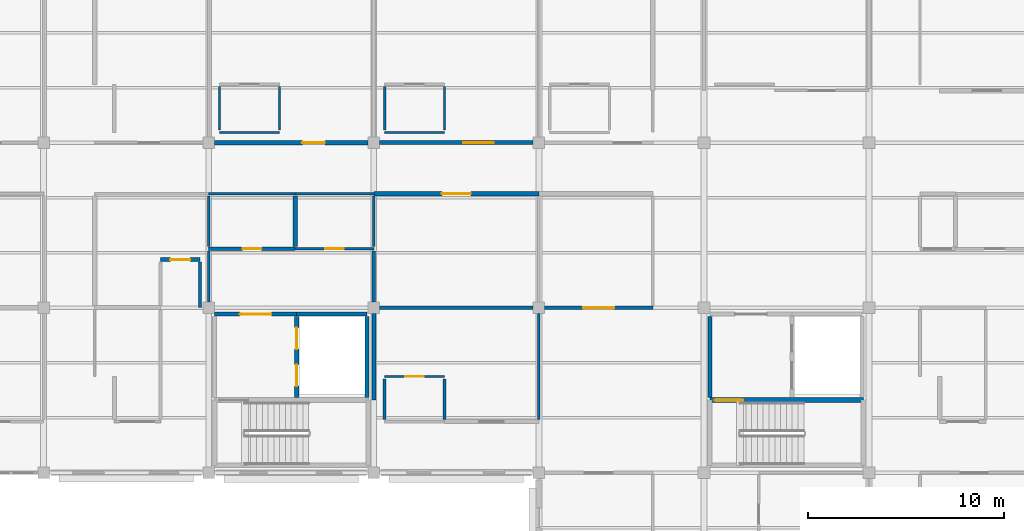
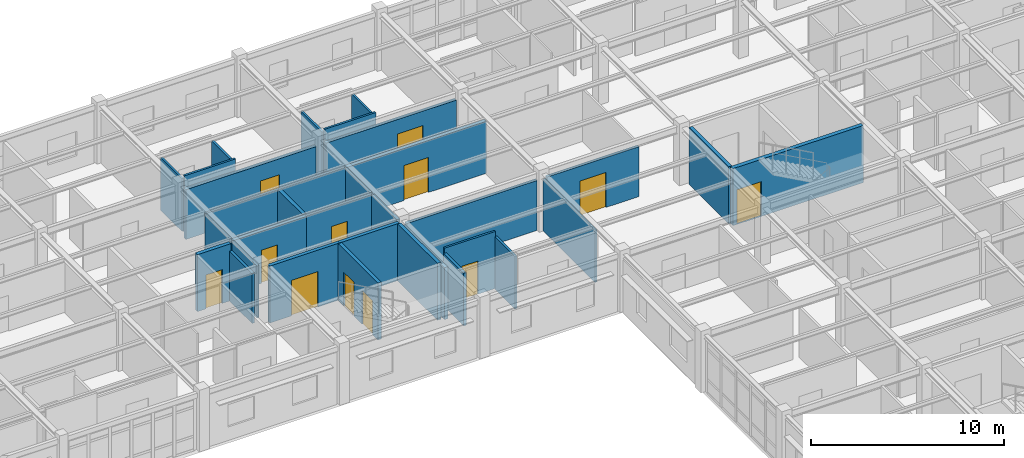
# One storey, part 53 of 70: 33 walls, 12 doors, 12 openings.
"""IFC4 building model written with IfcOpenShell, lengths in metres."""

from ifc_helpers import new_model, si_unit, direction, frame, frame_2d, origin, place, context, subcontext, project, spatial, rectangle, extrude, material, layer, layer_set, type_object, element, fill, save


model = new_model("IFC4")

# Units and contexts
model_context = context("Model", 3, precision=1e-05, world=origin(), true_north=direction((0.0, 1.0)))
body_context = subcontext(model_context, "Body", "Model", "MODEL_VIEW")
ifc_project = project(units=[si_unit("LENGTHUNIT", "METRE"), si_unit("AREAUNIT", "SQUARE_METRE"), si_unit("VOLUMEUNIT", "CUBIC_METRE"), si_unit("PLANEANGLEUNIT", "RADIAN"), si_unit("MASSUNIT", "GRAM", prefix="KILO")], contexts=[model_context])

# Site, building, storey
site_placement = place(None, origin())
site = spatial("IfcSite", under=ifc_project, at=site_placement, CompositionType="ELEMENT")
building_placement = place(site_placement, origin())
building = spatial("IfcBuilding", under=site, at=building_placement, Name="Bramfleet General Hospital", CompositionType="ELEMENT")
storey_placement = place(building_placement, frame((0.0, 0.0, 22.5)))
storey = spatial("IfcBuildingStorey", under=building, at=storey_placement, Name="L05", CompositionType="ELEMENT", Elevation=22.5)

# Wall, opening, door
ifc_material_1 = material(Name="Concrete C35/45", Category="concrete")
ifc_layer_1 = layer(ifc_material_1, 0.219970703125, Name="WT-IW-01")
ifc_layer_set_1 = layer_set([ifc_layer_1], Name="Concrete C35/45")
wall_type_1 = type_object("IfcWallType", Name="WT-IW-01", PredefinedType="PARTITIONING", material=ifc_layer_set_1)
wall_1_placement = place(storey_placement, frame((73.14990234375, 103.25, 0.0), z_axis=(0.0, 0.0, 1.0), x_axis=(1.0, 0.0, 0.0)))
wall_1 = element("IfcWall", 1, at=wall_1_placement, inside=storey, type_object=wall_type_1, Name="L05 Interior Partition IW-L05-3613", PredefinedType="PARTITIONING", context=body_context, shape_type="SweptSolid", body=[
    extrude(rectangle(XDim=2.0, YDim=0.219970703125, at=frame_2d((1.0, 0.0))), origin(), (0.0, 0.0, 1.0), 3.610107421875),
])
opening_1_placement = place(wall_1_placement, frame((0.5, 0.0, 0.0)))
opening_1 = element("IfcOpeningElement", 2, at=opening_1_placement, cuts=wall_1, Name="Opening D1352", PredefinedType="OPENING", context=body_context, shape_type="SweptSolid", body=[
    extrude(rectangle(XDim=1.0, YDim=2.14990234375, at=frame_2d((0.5, 1.074951171875))), frame((0.0, 0.119873046875, 0.0), z_axis=(0.0, -1.0, 0.0), x_axis=(1.0, 0.0, 0.0)), (0.0, 0.0, 1.0), 0.239990234375),
])
ifc_material_2 = material(Name="Stainless steel and acoustic timber leaf", Category="steel")
door_type_1 = type_object("IfcDoorType", Name="DR-D-08", OperationType="NOTDEFINED", PredefinedType="DOOR", material=ifc_material_2)
door_1_placement = place(opening_1_placement, origin())
door_1 = element("IfcDoor", 3, at=door_1_placement, inside=storey, type_object=door_type_1, Name="Medical and Cardiology Ward Nurse Station L05-0812 Door D1352", OperationType="SINGLE_SWING_LEFT", OverallHeight=2.14990234375, OverallWidth=1.0, PredefinedType="DOOR", context=body_context, shape_type="SweptSolid", body=[
    extrude(rectangle(XDim=1.0, YDim=2.14990234375, at=frame_2d((0.5, 1.074951171875))), frame((0.0, 0.02490234375, 0.0), z_axis=(0.0, -1.0, 0.0), x_axis=(1.0, 0.0, 0.0)), (0.0, 0.0, 1.0), 0.050048828125),
])
fill(opening_1, door_1)

wall_2_placement = place(storey_placement, frame((84.0, 106.60009765625, 0.0), z_axis=(0.0, 0.0, 1.0), x_axis=(1.0, 0.0, 0.0)))
wall_2 = element("IfcWall", 4, at=wall_2_placement, inside=storey, type_object=wall_type_1, Name="L05 Interior Partition IW-L05-3625", PredefinedType="PARTITIONING", context=body_context, shape_type="SweptSolid", body=[
    extrude(rectangle(XDim=8.39990234375, YDim=0.219970703125, at=frame_2d((4.199951171875, 0.0))), origin(), (0.0, 0.0, 1.0), 3.300048828125),
])
opening_2_placement = place(wall_2_placement, frame((3.4599609375, 0.0, 0.0)))
opening_2 = element("IfcOpeningElement", 5, at=opening_2_placement, cuts=wall_2, Name="Opening D1360", PredefinedType="OPENING", context=body_context, shape_type="SweptSolid", body=[
    extrude(rectangle(XDim=1.47998046875, YDim=2.219970703125, at=frame_2d((0.739990234375, 1.10986328125))), frame((0.0, 0.119873046875, 0.0), z_axis=(0.0, -1.0, 0.0), x_axis=(1.0, 0.0, 0.0)), (0.0, 0.0, 1.0), 0.239990234375),
])
door_type_2 = type_object("IfcDoorType", Name="DR-D-16", OperationType="NOTDEFINED", PredefinedType="DOOR", material=ifc_material_2)
door_2_placement = place(opening_2_placement, origin())
door_2 = element("IfcDoor", 6, at=door_2_placement, inside=storey, type_object=door_type_2, Name="Patient Dayroom and Garden Lounge L05-1012 Door D1360", OperationType="SINGLE_SWING_LEFT", OverallHeight=2.219970703125, OverallWidth=1.47998046875, PredefinedType="DOOR", context=body_context, shape_type="SweptSolid", body=[
    extrude(rectangle(XDim=1.47998046875, YDim=2.219970703125, at=frame_2d((0.739990234375, 1.10986328125))), frame((0.0, 0.02490234375, 0.0), z_axis=(0.0, -1.0, 0.0), x_axis=(1.0, 0.0, 0.0)), (0.0, 0.0, 1.0), 0.050048828125),
])
fill(opening_2, door_2)

wall_3_placement = place(storey_placement, frame((75.89501953125, 109.199951171875, 0.0), z_axis=(0.0, 0.0, 1.0), x_axis=(1.0, 0.0, 0.0)))
wall_3 = element("IfcWall", 7, at=wall_3_placement, inside=storey, type_object=wall_type_1, Name="L05 Interior Partition IW-L05-3637", PredefinedType="PARTITIONING", context=body_context, shape_type="SweptSolid", body=[
    extrude(rectangle(XDim=7.81005859375, YDim=0.219970703125, at=frame_2d((3.905029296875, 0.0))), origin(), (0.0, 0.0, 1.0), 3.159912109375),
])
opening_3_placement = place(wall_3_placement, frame((4.465576171875, 0.0, 0.0)))
opening_3 = element("IfcOpeningElement", 8, at=opening_3_placement, cuts=wall_3, Name="Opening D1356", PredefinedType="OPENING", context=body_context, shape_type="SweptSolid", body=[
    extrude(rectangle(XDim=1.14990234375, YDim=2.14990234375, at=frame_2d((0.574951171875, 1.074951171875))), frame((0.0, 0.119873046875, 0.0), z_axis=(0.0, -1.0, 0.0), x_axis=(1.0, 0.0, 0.0)), (0.0, 0.0, 1.0), 0.239990234375),
])
door_type_3 = type_object("IfcDoorType", Name="DR-D-12", OperationType="NOTDEFINED", PredefinedType="DOOR", material=ifc_material_2)
door_3_placement = place(opening_3_placement, origin())
door_3 = element("IfcDoor", 9, at=door_3_placement, inside=storey, type_object=door_type_3, Name="Medical and Cardiology Ward Bedroom L05-0913 Door D1356", OperationType="SINGLE_SWING_LEFT", OverallHeight=2.14990234375, OverallWidth=1.14990234375, PredefinedType="DOOR", context=body_context, shape_type="SweptSolid", body=[
    extrude(rectangle(XDim=1.14990234375, YDim=2.14990234375, at=frame_2d((0.574951171875, 1.074951171875))), frame((0.0, 0.02490234375, 0.0), z_axis=(0.0, -1.0, 0.0), x_axis=(1.0, 0.0, 0.0)), (0.0, 0.0, 1.0), 0.050048828125),
])
fill(opening_3, door_3)

# Walls
wall_4_placement = place(storey_placement, frame((80.0, 103.9150390625, 0.0), z_axis=(0.0, 0.0, 1.0), x_axis=(0.0, 1.0, 0.0)))
element("IfcWall", 10, at=wall_4_placement, inside=storey, type_object=wall_type_1, Name="L05 Interior Partition IW-L05-3685", PredefinedType="PARTITIONING", context=body_context, shape_type="SweptSolid", body=[
    extrude(rectangle(XDim=2.570068359375, YDim=0.219970703125, at=frame_2d((1.28515625, 0.0))), origin(), (0.0, 0.0, 1.0), 3.340087890625),
])
ifc_layer_2 = layer(ifc_material_1, 0.205078125, Name="WT-IW-02")
ifc_layer_set_2 = layer_set([ifc_layer_2], Name="Concrete C35/45")
wall_type_2 = type_object("IfcWallType", Name="WT-IW-02", PredefinedType="PARTITIONING", material=ifc_layer_set_2)
wall_5_placement = place(storey_placement, frame((101.10009765625, 96.239990234375, 0.0), z_axis=(0.0, 0.0, 1.0), x_axis=(0.0, 1.0, 0.0)))
element("IfcWall", 11, at=wall_5_placement, inside=storey, type_object=wall_type_2, Name="L05 C4 Lobby West Compartment Wall", PredefinedType="PARTITIONING", context=body_context, shape_type="SweptSolid", body=[
    extrude(rectangle(XDim=4.1201171875, YDim=0.205078125, at=frame_2d((2.06005859375, 0.0))), origin(), (0.0, 0.0, 1.0), 3.610107421875),
])

# Wall, openings, doors
wall_6_placement = place(storey_placement, frame((80.080078125, 96.239990234375, 0.0), z_axis=(0.0, 0.0, 1.0), x_axis=(0.0, 1.0, 0.0)))
wall_6 = element("IfcWall", 12, at=wall_6_placement, inside=storey, type_object=wall_type_2, Name="L05 C5 Lobby East Shaft Wall", PredefinedType="PARTITIONING", context=body_context, shape_type="SweptSolid", body=[
    extrude(rectangle(XDim=4.1201171875, YDim=0.205078125, at=frame_2d((2.06005859375, 0.0))), origin(), (0.0, 0.0, 1.0), 3.610107421875),
])
opening_4_placement = place(wall_6_placement, frame((0.570068359375, 0.0, 0.0)))
opening_4 = element("IfcOpeningElement", 13, at=opening_4_placement, cuts=wall_6, Name="Opening LD-PL-02-L05", PredefinedType="OPENING", context=body_context, shape_type="SweptSolid", body=[
    extrude(rectangle(XDim=1.10009765625, YDim=2.14990234375, at=frame_2d((0.550048828125, 1.074951171875))), frame((0.0, 0.112548828125, 0.0), z_axis=(0.0, -1.0, 0.0), x_axis=(1.0, 0.0, 0.0)), (0.0, 0.0, 1.0), 0.22509765625),
])
opening_5_placement = place(wall_6_placement, frame((2.449951171875, 0.0, 0.0)))
opening_5 = element("IfcOpeningElement", 14, at=opening_5_placement, cuts=wall_6, Name="Opening LD-PL-03-L05", PredefinedType="OPENING", context=body_context, shape_type="SweptSolid", body=[
    extrude(rectangle(XDim=1.10009765625, YDim=2.14990234375, at=frame_2d((0.550048828125, 1.074951171875))), frame((0.0, 0.112548828125, 0.0), z_axis=(0.0, -1.0, 0.0), x_axis=(1.0, 0.0, 0.0)), (0.0, 0.0, 1.0), 0.22509765625),
])
ifc_material_3 = material(Name="Brushed stainless steel 1.4301", Category="steel")
door_type_4 = type_object("IfcDoorType", Name="DR-LD-02", OperationType="NOTDEFINED", PredefinedType="DOOR", material=ifc_material_3)
door_4_placement = place(opening_4_placement, origin())
door_4 = element("IfcDoor", 15, at=door_4_placement, inside=storey, type_object=door_type_4, Name="L05 Lift PL-02 Sliding Landing Door", OperationType="SLIDING_TO_LEFT", OverallHeight=2.14990234375, OverallWidth=1.10009765625, PredefinedType="DOOR", context=body_context, shape_type="SweptSolid", body=[
    extrude(rectangle(XDim=1.10009765625, YDim=2.14990234375, at=frame_2d((0.550048828125, 1.074951171875))), frame((0.0, 0.02490234375, 0.0), z_axis=(0.0, -1.0, 0.0), x_axis=(1.0, 0.0, 0.0)), (0.0, 0.0, 1.0), 0.050048828125),
])
fill(opening_4, door_4)
door_5_placement = place(opening_5_placement, origin())
door_5 = element("IfcDoor", 16, at=door_5_placement, inside=storey, type_object=door_type_4, Name="L05 Lift PL-03 Sliding Landing Door", OperationType="SLIDING_TO_LEFT", OverallHeight=2.14990234375, OverallWidth=1.10009765625, PredefinedType="DOOR", context=body_context, shape_type="SweptSolid", body=[
    extrude(rectangle(XDim=1.10009765625, YDim=2.14990234375, at=frame_2d((0.550048828125, 1.074951171875))), frame((0.0, 0.02490234375, 0.0), z_axis=(0.0, -1.0, 0.0), x_axis=(1.0, 0.0, 0.0)), (0.0, 0.0, 1.0), 0.050048828125),
])
fill(opening_5, door_5)

# Walls
wall_7_placement = place(storey_placement, frame((83.64990234375, 96.239990234375, 0.0), z_axis=(0.0, 0.0, 1.0), x_axis=(0.0, 1.0, 0.0)))
element("IfcWall", 17, at=wall_7_placement, inside=storey, type_object=wall_type_2, Name="L05 C5 Lift Shaft East Wall", PredefinedType="PARTITIONING", context=body_context, shape_type="SweptSolid", body=[
    extrude(rectangle(XDim=4.1201171875, YDim=0.205078125, at=frame_2d((2.06005859375, 0.0))), origin(), (0.0, 0.0, 1.0), 3.610107421875),
])
wall_8_placement = place(storey_placement, frame((80.080078125, 100.47998046875, 0.0), z_axis=(0.0, 0.0, 1.0), x_axis=(1.0, 0.0, 0.0)))
element("IfcWall", 18, at=wall_8_placement, inside=storey, type_object=wall_type_2, Name="L05 C5 Lift Shaft North Wall", PredefinedType="PARTITIONING", context=body_context, shape_type="SweptSolid", body=[
    extrude(rectangle(XDim=3.56982421875, YDim=0.205078125, at=frame_2d((1.784912109375, 0.0))), origin(), (0.0, 0.0, 1.0), 3.610107421875),
])

# Wall, opening, door
wall_9_placement = place(storey_placement, frame((75.89990234375, 100.47998046875, 0.0), z_axis=(0.0, 0.0, 1.0), x_axis=(1.0, 0.0, 0.0)))
wall_9 = element("IfcWall", 19, at=wall_9_placement, inside=storey, type_object=wall_type_2, Name="L05 C5 Lobby North Compartment Wall", PredefinedType="PARTITIONING", context=body_context, shape_type="SweptSolid", body=[
    extrude(rectangle(XDim=4.18017578125, YDim=0.205078125, at=frame_2d((2.090087890625, 0.0))), origin(), (0.0, 0.0, 1.0), 3.610107421875),
])
opening_6_placement = place(wall_9_placement, frame((1.2900390625, 0.0, 0.0)))
opening_6 = element("IfcOpeningElement", 20, at=opening_6_placement, cuts=wall_9, Name="Opening D0068", PredefinedType="OPENING", context=body_context, shape_type="SweptSolid", body=[
    extrude(rectangle(XDim=1.60009765625, YDim=2.25, at=frame_2d((0.800048828125, 1.125))), frame((0.0, 0.112548828125, 0.0), z_axis=(0.0, -1.0, 0.0), x_axis=(1.0, 0.0, 0.0)), (0.0, 0.0, 1.0), 0.22509765625),
])
door_type_5 = type_object("IfcDoorType", Name="DR-D-04", OperationType="NOTDEFINED", PredefinedType="DOOR", material=ifc_material_2)
door_6_placement = place(opening_6_placement, origin())
door_6 = element("IfcDoor", 21, at=door_6_placement, inside=storey, type_object=door_type_5, Name="L05 C5 Lobby Fire Door D0068", OperationType="DOUBLE_SWING_LEFT", OverallHeight=2.25, OverallWidth=1.60009765625, PredefinedType="DOOR", context=body_context, shape_type="SweptSolid", body=[
    extrude(rectangle(XDim=1.60009765625, YDim=2.25, at=frame_2d((0.800048828125, 1.125))), frame((0.0, 0.02490234375, 0.0), z_axis=(0.0, -1.0, 0.0), x_axis=(1.0, 0.0, 0.0)), (0.0, 0.0, 1.0), 0.050048828125),
])
fill(opening_6, door_6)

wall_10_placement = place(storey_placement, frame((84.294921875, 109.199951171875, 0.0), z_axis=(0.0, 0.0, 1.0), x_axis=(1.0, 0.0, 0.0)))
wall_10 = element("IfcWall", 22, at=wall_10_placement, inside=storey, type_object=wall_type_2, Name="L05 Interior Partition IW-L05-3638", PredefinedType="PARTITIONING", context=body_context, shape_type="SweptSolid", body=[
    extrude(rectangle(XDim=7.81005859375, YDim=0.205078125, at=frame_2d((3.905029296875, 0.0))), origin(), (0.0, 0.0, 1.0), 3.159912109375),
])
opening_7_placement = place(wall_10_placement, frame((4.2705078125, 0.0, 0.0)))
opening_7 = element("IfcOpeningElement", 23, at=opening_7_placement, cuts=wall_10, Name="Opening D1361", PredefinedType="OPENING", context=body_context, shape_type="SweptSolid", body=[
    extrude(rectangle(XDim=1.5400390625, YDim=2.239990234375, at=frame_2d((0.77001953125, 1.1201171875))), frame((0.0, 0.112548828125, 0.0), z_axis=(0.0, -1.0, 0.0), x_axis=(1.0, 0.0, 0.0)), (0.0, 0.0, 1.0), 0.22509765625),
])
door_type_6 = type_object("IfcDoorType", Name="DR-D-17", OperationType="NOTDEFINED", PredefinedType="DOOR", material=ifc_material_2)
door_7_placement = place(opening_7_placement, origin())
door_7 = element("IfcDoor", 24, at=door_7_placement, inside=storey, type_object=door_type_6, Name="Medical and Cardiology Ward Bedroom L05-1013 Door D1361", OperationType="SINGLE_SWING_RIGHT", OverallHeight=2.239990234375, OverallWidth=1.5400390625, PredefinedType="DOOR", context=body_context, shape_type="SweptSolid", body=[
    extrude(rectangle(XDim=1.5400390625, YDim=2.239990234375, at=frame_2d((0.77001953125, 1.1201171875))), frame((0.0, 0.02490234375, 0.0), z_axis=(0.0, -1.0, 0.0), x_axis=(1.0, 0.0, 0.0)), (0.0, 0.0, 1.0), 0.050048828125),
])
fill(opening_7, door_7)

# Walls
wall_11_placement = place(storey_placement, frame((84.0, 96.10009765625, 0.0), z_axis=(0.0, 0.0, 1.0), x_axis=(0.0, 1.0, 0.0)))
element("IfcWall", 25, at=wall_11_placement, inside=storey, type_object=wall_type_2, Name="L05 Interior Partition IW-L05-3686", PredefinedType="PARTITIONING", context=body_context, shape_type="SweptSolid", body=[
    extrude(rectangle(XDim=4.40478515625, YDim=0.205078125, at=frame_2d((2.202392578125, 0.0))), origin(), (0.0, 0.0, 1.0), 3.300048828125),
])
ifc_layer_3 = layer(ifc_material_1, 0.18994140625, Name="WT-IW-03")
ifc_layer_set_3 = layer_set([ifc_layer_3], Name="Concrete C35/45")
wall_type_3 = type_object("IfcWallType", Name="WT-IW-03", PredefinedType="PARTITIONING", material=ifc_layer_set_3)
wall_12_placement = place(storey_placement, frame((84.294921875, 100.800048828125, 0.0), z_axis=(0.0, 0.0, 1.0), x_axis=(1.0, 0.0, 0.0)))
element("IfcWall", 26, at=wall_12_placement, inside=storey, type_object=wall_type_3, Name="L05 Interior Partition IW-L05-3603", PredefinedType="PARTITIONING", context=body_context, shape_type="SweptSolid", body=[
    extrude(rectangle(XDim=7.81005859375, YDim=0.18994140625, at=frame_2d((3.905029296875, 0.0))), origin(), (0.0, 0.0, 1.0), 3.159912109375),
])

# Wall, opening, door
wall_13_placement = place(storey_placement, frame((75.60009765625, 103.800048828125, 0.0), z_axis=(0.0, 0.0, 1.0), x_axis=(1.0, 0.0, 0.0)))
wall_13 = element("IfcWall", 27, at=wall_13_placement, inside=storey, type_object=wall_type_3, Name="L05 Interior Partition IW-L05-3615", PredefinedType="PARTITIONING", context=body_context, shape_type="SweptSolid", body=[
    extrude(rectangle(XDim=4.39990234375, YDim=0.18994140625, at=frame_2d((2.199951171875, 0.0))), origin(), (0.0, 0.0, 1.0), 3.300048828125),
])
opening_8_placement = place(wall_13_placement, frame((1.72509765625, 0.0, 0.0)))
opening_8 = element("IfcOpeningElement", 28, at=opening_8_placement, cuts=wall_13, Name="Opening D1354", PredefinedType="OPENING", context=body_context, shape_type="SweptSolid", body=[
    extrude(rectangle(XDim=0.949951171875, YDim=2.10009765625, at=frame_2d((0.47509765625, 1.050048828125))), frame((0.0, 0.10498046875, 0.0), z_axis=(0.0, -1.0, 0.0), x_axis=(1.0, 0.0, 0.0)), (0.0, 0.0, 1.0), 0.2099609375),
])
door_type_7 = type_object("IfcDoorType", Name="DR-D-10", OperationType="NOTDEFINED", PredefinedType="DOOR", material=ifc_material_2)
door_8_placement = place(opening_8_placement, origin())
door_8 = element("IfcDoor", 29, at=door_8_placement, inside=storey, type_object=door_type_7, Name="Clean Medication and Treatment Room L05-0912 Door D1354", OperationType="SINGLE_SWING_LEFT", OverallHeight=2.10009765625, OverallWidth=0.949951171875, PredefinedType="DOOR", context=body_context, shape_type="SweptSolid", body=[
    extrude(rectangle(XDim=0.949951171875, YDim=2.10009765625, at=frame_2d((0.47509765625, 1.050048828125))), frame((0.0, 0.02490234375, 0.0), z_axis=(0.0, -1.0, 0.0), x_axis=(1.0, 0.0, 0.0)), (0.0, 0.0, 1.0), 0.050048828125),
])
fill(opening_8, door_8)

# Wall
wall_14_placement = place(storey_placement, frame((84.0, 101.094970703125, 0.0), z_axis=(0.0, 0.0, 1.0), x_axis=(0.0, 1.0, 0.0)))
element("IfcWall", 30, at=wall_14_placement, inside=storey, type_object=wall_type_3, Name="L05 Interior Partition IW-L05-3687", PredefinedType="PARTITIONING", context=body_context, shape_type="SweptSolid", body=[
    extrude(rectangle(XDim=2.590087890625, YDim=0.18994140625, at=frame_2d((1.294921875, 0.0))), origin(), (0.0, 0.0, 1.0), 3.300048828125),
])

# Wall, opening, door
ifc_layer_4 = layer(ifc_material_1, 0.179931640625, Name="WT-IW-04")
ifc_layer_set_4 = layer_set([ifc_layer_4], Name="Concrete C35/45")
wall_type_4 = type_object("IfcWallType", Name="WT-IW-04", PredefinedType="PARTITIONING", material=ifc_layer_set_4)
wall_15_placement = place(storey_placement, frame((92.695068359375, 100.800048828125, 0.0), z_axis=(0.0, 0.0, 1.0), x_axis=(1.0, 0.0, 0.0)))
wall_15 = element("IfcWall", 31, at=wall_15_placement, inside=storey, type_object=wall_type_4, Name="L05 Interior Partition IW-L05-3604", PredefinedType="PARTITIONING", context=body_context, shape_type="SweptSolid", body=[
    extrude(rectangle(XDim=5.5048828125, YDim=0.179931640625, at=frame_2d((2.75244140625, 0.0))), origin(), (0.0, 0.0, 1.0), 3.159912109375),
])
opening_9_placement = place(wall_15_placement, frame((1.96240234375, 0.0, 0.0)))
opening_9 = element("IfcOpeningElement", 32, at=opening_9_placement, cuts=wall_15, Name="Opening D1376", PredefinedType="OPENING", context=body_context, shape_type="SweptSolid", body=[
    extrude(rectangle(XDim=1.580078125, YDim=2.219970703125, at=frame_2d((0.7900390625, 1.10986328125))), frame((0.0, 0.099853515625, 0.0), z_axis=(0.0, -1.0, 0.0), x_axis=(1.0, 0.0, 0.0)), (0.0, 0.0, 1.0), 0.199951171875),
])
door_type_8 = type_object("IfcDoorType", Name="DR-D-32", OperationType="NOTDEFINED", PredefinedType="DOOR", material=ifc_material_2)
door_9_placement = place(opening_9_placement, origin())
door_9 = element("IfcDoor", 33, at=door_9_placement, inside=storey, type_object=door_type_8, Name="Ward Linen and Clean Utility L05-1112 Door D1376", OperationType="DOUBLE_SWING_LEFT", OverallHeight=2.219970703125, OverallWidth=1.580078125, PredefinedType="DOOR", context=body_context, shape_type="SweptSolid", body=[
    extrude(rectangle(XDim=1.580078125, YDim=2.219970703125, at=frame_2d((0.7900390625, 1.10986328125))), frame((0.0, 0.02490234375, 0.0), z_axis=(0.0, -1.0, 0.0), x_axis=(1.0, 0.0, 0.0)), (0.0, 0.0, 1.0), 0.050048828125),
])
fill(opening_9, door_9)

# Walls
ifc_material_4 = material(Name="Gypsum plasterboard on acoustic steel studs", Category="steel")
ifc_layer_5 = layer(ifc_material_4, 0.159912109375, Name="WT-IW-06")
ifc_layer_set_5 = layer_set([ifc_layer_5], Name="Gypsum plasterboard on acoustic steel studs")
wall_type_5 = type_object("IfcWallType", Name="WT-IW-06", PredefinedType="PARTITIONING", material=ifc_layer_set_5)
wall_16_placement = place(storey_placement, frame((84.550048828125, 95.114990234375, 0.0), z_axis=(0.0, 0.0, 1.0), x_axis=(0.0, 1.0, 0.0)))
element("IfcWall", 34, at=wall_16_placement, inside=storey, type_object=wall_type_5, Name="L05 Interior Partition IW-L05-3690", PredefinedType="PARTITIONING", context=body_context, shape_type="SweptSolid", body=[
    extrude(rectangle(XDim=2.070068359375, YDim=0.159912109375, at=frame_2d((1.03515625, 0.0))), origin(), (0.0, 0.0, 1.0), 3.340087890625),
])
ifc_layer_6 = layer(ifc_material_4, 0.14990234375, Name="WT-IW-07")
ifc_layer_set_6 = layer_set([ifc_layer_6], Name="Gypsum plasterboard on acoustic steel studs")
wall_type_6 = type_object("IfcWallType", Name="WT-IW-07", PredefinedType="PARTITIONING", material=ifc_layer_set_6)
wall_17_placement = place(storey_placement, frame((75.14990234375, 100.800048828125, 0.0), z_axis=(0.0, 0.0, 1.0), x_axis=(0.0, 1.0, 0.0)))
element("IfcWall", 35, at=wall_17_placement, inside=storey, type_object=wall_type_6, Name="L05 Interior Partition IW-L05-3679", PredefinedType="PARTITIONING", context=body_context, shape_type="SweptSolid", body=[
    extrude(rectangle(XDim=2.3349609375, YDim=0.14990234375, at=frame_2d((1.16748046875, 0.0))), origin(), (0.0, 0.0, 1.0), 3.159912109375),
])
ifc_layer_7 = layer(ifc_material_4, 0.139892578125, Name="WT-IW-08")
ifc_layer_set_7 = layer_set([ifc_layer_7], Name="Gypsum plasterboard on acoustic steel studs")
wall_type_7 = type_object("IfcWallType", Name="WT-IW-08", PredefinedType="PARTITIONING", material=ifc_layer_set_7)
wall_18_placement = place(storey_placement, frame((75.60009765625, 101.094970703125, 0.0), z_axis=(0.0, 0.0, 1.0), x_axis=(0.0, 1.0, 0.0)))
element("IfcWall", 36, at=wall_18_placement, inside=storey, type_object=wall_type_7, Name="L05 Interior Partition IW-L05-3680", PredefinedType="PARTITIONING", context=body_context, shape_type="SweptSolid", body=[
    extrude(rectangle(XDim=2.590087890625, YDim=0.139892578125, at=frame_2d((1.294921875, 0.0))), origin(), (0.0, 0.0, 1.0), 3.300048828125),
])
wall_19_placement = place(storey_placement, frame((87.60009765625, 95.114990234375, 0.0), z_axis=(0.0, 0.0, 1.0), x_axis=(0.0, 1.0, 0.0)))
element("IfcWall", 37, at=wall_19_placement, inside=storey, type_object=wall_type_7, Name="L05 Interior Partition IW-L05-3692", PredefinedType="PARTITIONING", context=body_context, shape_type="SweptSolid", body=[
    extrude(rectangle(XDim=2.070068359375, YDim=0.139892578125, at=frame_2d((1.03515625, 0.0))), origin(), (0.0, 0.0, 1.0), 3.340087890625),
])
ifc_layer_8 = layer(ifc_material_4, 0.1298828125, Name="WT-IW-09")
ifc_layer_set_8 = layer_set([ifc_layer_8], Name="Gypsum plasterboard on acoustic steel studs")
wall_type_8 = type_object("IfcWallType", Name="WT-IW-09", PredefinedType="PARTITIONING", material=ifc_layer_set_8)
wall_20_placement = place(storey_placement, frame((75.60009765625, 103.9150390625, 0.0), z_axis=(0.0, 0.0, 1.0), x_axis=(0.0, 1.0, 0.0)))
element("IfcWall", 38, at=wall_20_placement, inside=storey, type_object=wall_type_8, Name="L05 Interior Partition IW-L05-3681", PredefinedType="PARTITIONING", context=body_context, shape_type="SweptSolid", body=[
    extrude(rectangle(XDim=2.570068359375, YDim=0.1298828125, at=frame_2d((1.28515625, 0.0))), origin(), (0.0, 0.0, 1.0), 3.300048828125),
])

# Wall, opening, door
ifc_layer_9 = layer(ifc_material_4, 0.1201171875, Name="WT-IW-10")
ifc_layer_set_9 = layer_set([ifc_layer_9], Name="Gypsum plasterboard on acoustic steel studs")
wall_type_9 = type_object("IfcWallType", Name="WT-IW-10", PredefinedType="PARTITIONING", material=ifc_layer_set_9)
wall_21_placement = place(storey_placement, frame((84.550048828125, 97.300048828125, 0.0), z_axis=(0.0, 0.0, 1.0), x_axis=(1.0, 0.0, 0.0)))
wall_21 = element("IfcWall", 39, at=wall_21_placement, inside=storey, type_object=wall_type_9, Name="L05 Interior Partition IW-L05-3598", PredefinedType="PARTITIONING", context=body_context, shape_type="SweptSolid", body=[
    extrude(rectangle(XDim=3.050048828125, YDim=0.1201171875, at=frame_2d((1.52490234375, 0.0))), origin(), (0.0, 0.0, 1.0), 3.610107421875),
])
opening_10_placement = place(wall_21_placement, frame((1.050048828125, 0.0, 0.0)))
opening_10 = element("IfcOpeningElement", 40, at=opening_10_placement, cuts=wall_21, Name="Opening D1359", PredefinedType="OPENING", context=body_context, shape_type="SweptSolid", body=[
    extrude(rectangle(XDim=0.949951171875, YDim=2.10009765625, at=frame_2d((0.47509765625, 1.050048828125))), frame((0.0, 0.070068359375, 0.0), z_axis=(0.0, -1.0, 0.0), x_axis=(1.0, 0.0, 0.0)), (0.0, 0.0, 1.0), 0.14013671875),
])
door_10_placement = place(opening_10_placement, origin())
door_10 = element("IfcDoor", 41, at=door_10_placement, inside=storey, type_object=door_type_7, Name="En-Suite Bathroom L05-1011 Door D1359", OperationType="SINGLE_SWING_LEFT", OverallHeight=2.10009765625, OverallWidth=0.949951171875, PredefinedType="DOOR", context=body_context, shape_type="SweptSolid", body=[
    extrude(rectangle(XDim=0.949951171875, YDim=2.10009765625, at=frame_2d((0.47509765625, 1.050048828125))), frame((0.0, 0.02490234375, 0.0), z_axis=(0.0, -1.0, 0.0), x_axis=(1.0, 0.0, 0.0)), (0.0, 0.0, 1.0), 0.050048828125),
])
fill(opening_10, door_10)

wall_22_placement = place(storey_placement, frame((80.0, 103.800048828125, 0.0), z_axis=(0.0, 0.0, 1.0), x_axis=(1.0, 0.0, 0.0)))
wall_22 = element("IfcWall", 42, at=wall_22_placement, inside=storey, type_object=wall_type_9, Name="L05 Interior Partition IW-L05-3616", PredefinedType="PARTITIONING", context=body_context, shape_type="SweptSolid", body=[
    extrude(rectangle(XDim=4.0, YDim=0.1201171875, at=frame_2d((2.0, 0.0))), origin(), (0.0, 0.0, 1.0), 3.300048828125),
])
opening_11_placement = place(wall_22_placement, frame((1.52490234375, 0.0, 0.0)))
opening_11 = element("IfcOpeningElement", 43, at=opening_11_placement, cuts=wall_22, Name="Opening D1355", PredefinedType="OPENING", context=body_context, shape_type="SweptSolid", body=[
    extrude(rectangle(XDim=0.949951171875, YDim=2.10009765625, at=frame_2d((0.47509765625, 1.050048828125))), frame((0.0, 0.070068359375, 0.0), z_axis=(0.0, -1.0, 0.0), x_axis=(1.0, 0.0, 0.0)), (0.0, 0.0, 1.0), 0.14013671875),
])
door_11_placement = place(opening_11_placement, origin())
door_11 = element("IfcDoor", 44, at=door_11_placement, inside=storey, type_object=door_type_7, Name="L05 Accessible and Staff WC 0912 Door D1355", OperationType="SINGLE_SWING_LEFT", OverallHeight=2.10009765625, OverallWidth=0.949951171875, PredefinedType="DOOR", context=body_context, shape_type="SweptSolid", body=[
    extrude(rectangle(XDim=0.949951171875, YDim=2.10009765625, at=frame_2d((0.47509765625, 1.050048828125))), frame((0.0, 0.02490234375, 0.0), z_axis=(0.0, -1.0, 0.0), x_axis=(1.0, 0.0, 0.0)), (0.0, 0.0, 1.0), 0.050048828125),
])
fill(opening_11, door_11)

# Walls
wall_23_placement = place(storey_placement, frame((80.0, 106.60009765625, 0.0), z_axis=(0.0, 0.0, 1.0), x_axis=(1.0, 0.0, 0.0)))
element("IfcWall", 45, at=wall_23_placement, inside=storey, type_object=wall_type_9, Name="L05 Interior Partition IW-L05-3624", PredefinedType="PARTITIONING", context=body_context, shape_type="SweptSolid", body=[
    extrude(rectangle(XDim=4.0, YDim=0.1201171875, at=frame_2d((2.0, 0.0))), origin(), (0.0, 0.0, 1.0), 3.300048828125),
])
for number, where, z_axis, x_axis, name in (
    (46, (76.14990234375, 109.719970703125, 0.0), (0.0, 0.0, 1.0), (1.0, 0.0, 0.0), "L05 Interior Partition IW-L05-3643"),
    (47, (84.550048828125, 109.719970703125, 0.0), (0.0, 0.0, 1.0), (1.0, 0.0, 0.0), "L05 Interior Partition IW-L05-3644"),
):
    element("IfcWall", number, at=place(storey_placement, frame(where, z_axis=z_axis, x_axis=x_axis)), inside=storey, type_object=wall_type_9, Name=name, PredefinedType="PARTITIONING", context=body_context, shape_type="SweptSolid", body=[
        extrude(rectangle(XDim=3.050048828125, YDim=0.1201171875, at=frame_2d((1.52490234375, 0.0))), origin(), (0.0, 0.0, 1.0), 3.610107421875),
    ])
for number, where, z_axis, x_axis, name in (
    (48, (76.14990234375, 109.8349609375, 0.0), (0.0, 0.0, 1.0), (0.0, 1.0, 0.0), "L05 Interior Partition IW-L05-3683"),
    (49, (79.199951171875, 109.8349609375, 0.0), (0.0, 0.0, 1.0), (0.0, 1.0, 0.0), "L05 Interior Partition IW-L05-3684"),
):
    element("IfcWall", number, at=place(storey_placement, frame(where, z_axis=z_axis, x_axis=x_axis)), inside=storey, type_object=wall_type_9, Name=name, PredefinedType="PARTITIONING", context=body_context, shape_type="SweptSolid", body=[
        extrude(rectangle(XDim=2.219970703125, YDim=0.1201171875, at=frame_2d((1.10986328125, 0.0))), origin(), (0.0, 0.0, 1.0), 3.340087890625),
    ])
wall_24_placement = place(storey_placement, frame((84.0, 103.9150390625, 0.0), z_axis=(0.0, 0.0, 1.0), x_axis=(0.0, 1.0, 0.0)))
element("IfcWall", 50, at=wall_24_placement, inside=storey, type_object=wall_type_9, Name="L05 Interior Partition IW-L05-3688", PredefinedType="PARTITIONING", context=body_context, shape_type="SweptSolid", body=[
    extrude(rectangle(XDim=2.570068359375, YDim=0.1201171875, at=frame_2d((1.28515625, 0.0))), origin(), (0.0, 0.0, 1.0), 3.300048828125),
])
for number, where, z_axis, x_axis, name in (
    (51, (84.550048828125, 109.8349609375, 0.0), (0.0, 0.0, 1.0), (0.0, 1.0, 0.0), "L05 Interior Partition IW-L05-3691"),
    (52, (87.60009765625, 109.8349609375, 0.0), (0.0, 0.0, 1.0), (0.0, 1.0, 0.0), "L05 Interior Partition IW-L05-3693"),
):
    element("IfcWall", number, at=place(storey_placement, frame(where, z_axis=z_axis, x_axis=x_axis)), inside=storey, type_object=wall_type_9, Name=name, PredefinedType="PARTITIONING", context=body_context, shape_type="SweptSolid", body=[
        extrude(rectangle(XDim=2.219970703125, YDim=0.1201171875, at=frame_2d((1.10986328125, 0.0))), origin(), (0.0, 0.0, 1.0), 3.340087890625),
    ])
wall_25_placement = place(storey_placement, frame((92.39990234375, 95.114990234375, 0.0), z_axis=(0.0, 0.0, 1.0), x_axis=(0.0, 1.0, 0.0)))
element("IfcWall", 53, at=wall_25_placement, inside=storey, type_object=wall_type_9, Name="L05 Interior Partition IW-L05-3694", PredefinedType="PARTITIONING", context=body_context, shape_type="SweptSolid", body=[
    extrude(rectangle(XDim=5.389892578125, YDim=0.1201171875, at=frame_2d((2.69482421875, 0.0))), origin(), (0.0, 0.0, 1.0), 3.300048828125),
])
ifc_layer_10 = layer(ifc_material_4, 0.112060546875, Name="WT-IW-11")
ifc_layer_set_10 = layer_set([ifc_layer_10], Name="Gypsum plasterboard on acoustic steel studs")
wall_type_10 = type_object("IfcWallType", Name="WT-IW-11", PredefinedType="PARTITIONING", material=ifc_layer_set_10)
wall_26_placement = place(storey_placement, frame((75.60009765625, 106.60009765625, 0.0), z_axis=(0.0, 0.0, 1.0), x_axis=(1.0, 0.0, 0.0)))
element("IfcWall", 54, at=wall_26_placement, inside=storey, type_object=wall_type_10, Name="L05 Interior Partition IW-L05-3623", PredefinedType="PARTITIONING", context=body_context, shape_type="SweptSolid", body=[
    extrude(rectangle(XDim=4.39990234375, YDim=0.112060546875, at=frame_2d((2.199951171875, 0.0))), origin(), (0.0, 0.0, 1.0), 3.300048828125),
])

# Wall, opening, door
ifc_material_5 = material(Name="Concrete C40/50", Category="concrete")
ifc_layer_11 = layer(ifc_material_5, 0.239990234375, Name="WT-SW-240")
ifc_layer_set_11 = layer_set([ifc_layer_11], Name="Concrete C40/50")
wall_type_11 = type_object("IfcWallType", Name="WT-SW-240", PredefinedType="SHEAR", material=ifc_layer_set_11)
wall_27_placement = place(storey_placement, frame((101.10009765625, 96.10009765625, 0.0), z_axis=(0.0, 0.0, 1.0), x_axis=(1.0, 0.0, 0.0)))
wall_27 = element("IfcWall", 55, at=wall_27_placement, inside=storey, type_object=wall_type_11, Name="L05 C4 Stair-Lobby Shear Wall", PredefinedType="SHEAR", context=body_context, shape_type="SweptSolid", body=[
    extrude(rectangle(XDim=7.81982421875, YDim=0.239990234375, at=frame_2d((3.909912109375, 0.0))), origin(), (0.0, 0.0, 1.0), 3.6201171875),
])
opening_12_placement = place(wall_27_placement, frame((0.25, 0.0, 0.0)))
opening_12 = element("IfcOpeningElement", 56, at=opening_12_placement, cuts=wall_27, Name="Opening D0049", PredefinedType="OPENING", context=body_context, shape_type="SweptSolid", body=[
    extrude(rectangle(XDim=1.449951171875, YDim=2.199951171875, at=frame_2d((0.72509765625, 1.10009765625))), frame((0.0, 0.1298828125, 0.0), z_axis=(0.0, -1.0, 0.0), x_axis=(1.0, 0.0, 0.0)), (0.0, 0.0, 1.0), 0.260009765625),
])
door_type_9 = type_object("IfcDoorType", Name="DR-D-03", OperationType="NOTDEFINED", PredefinedType="DOOR", material=ifc_material_2)
door_12_placement = place(opening_12_placement, origin())
door_12 = element("IfcDoor", 57, at=door_12_placement, inside=storey, type_object=door_type_9, Name="L05 C4 Escape Stair Fire Door D0049", OperationType="SINGLE_SWING_RIGHT", OverallHeight=2.199951171875, OverallWidth=1.449951171875, PredefinedType="DOOR", context=body_context, shape_type="SweptSolid", body=[
    extrude(rectangle(XDim=1.449951171875, YDim=2.199951171875, at=frame_2d((0.72509765625, 1.10009765625))), frame((0.0, 0.02490234375, 0.0), z_axis=(0.0, -1.0, 0.0), x_axis=(1.0, 0.0, 0.0)), (0.0, 0.0, 1.0), 0.050048828125),
])
fill(opening_12, door_12)

save(model, "model.ifc")
